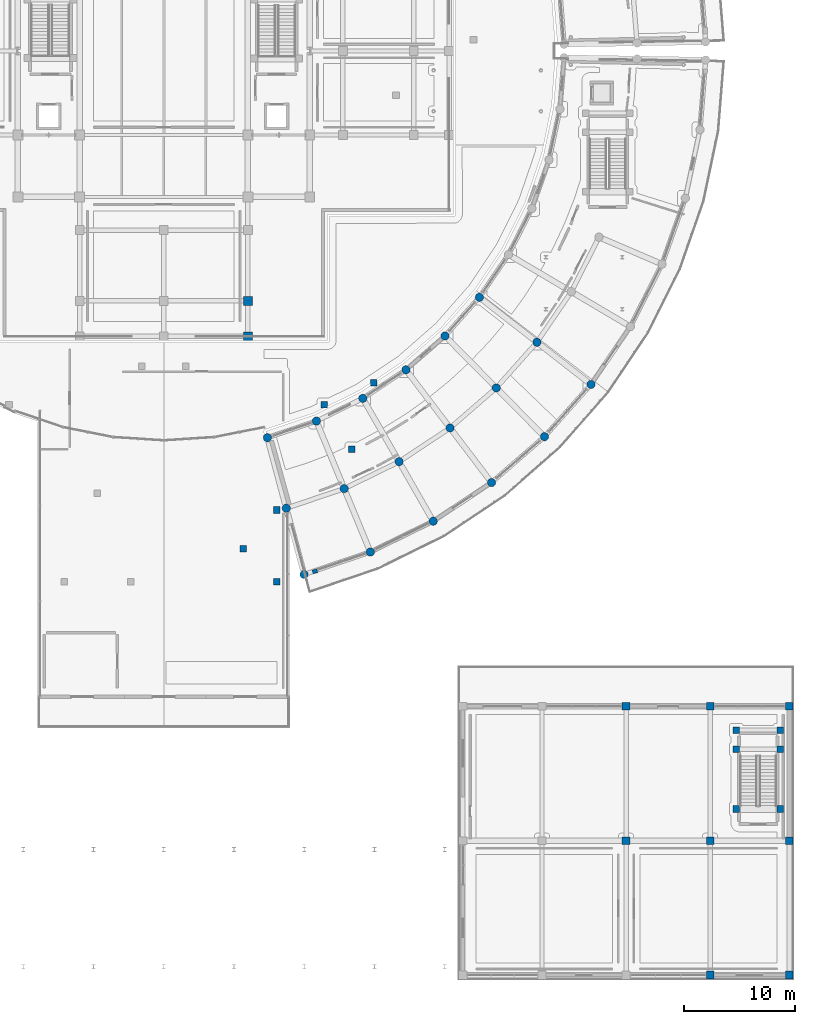
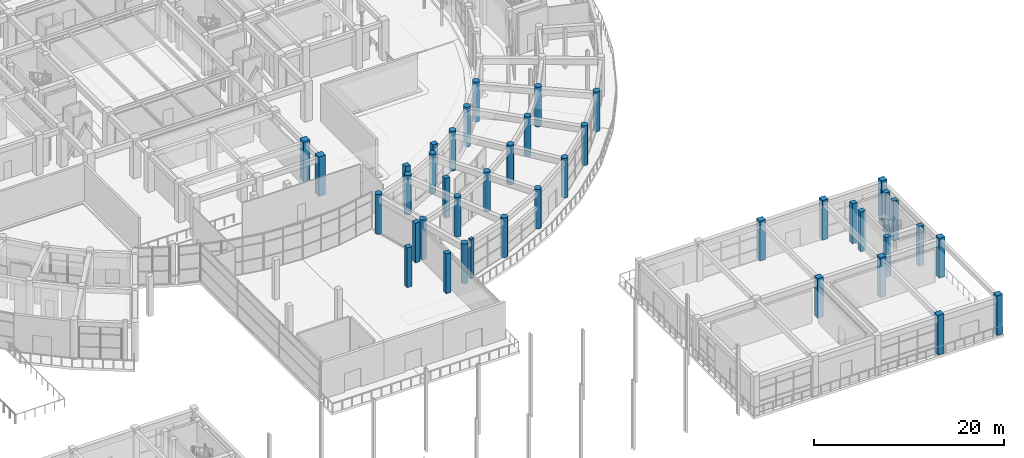
# One storey, part 5 of 99: 41 columns.
"""IFC4 building model written with IfcOpenShell, lengths in metres."""

from ifc_helpers import new_model, si_unit, direction, frame, origin, origin_2d, place, context, subcontext, project, spatial, rectangle, circle, extrude, material, material_profile, profile_set, type_object, element, save


model = new_model("IFC4")

# Units and contexts
model_context = context("Model", 3, precision=1e-05, world=origin(), true_north=direction((0.0, 1.0)))
body_context = subcontext(model_context, "Body", "Model", "MODEL_VIEW")
ifc_project = project(units=[si_unit("LENGTHUNIT", "METRE"), si_unit("AREAUNIT", "SQUARE_METRE"), si_unit("VOLUMEUNIT", "CUBIC_METRE"), si_unit("PLANEANGLEUNIT", "RADIAN"), si_unit("MASSUNIT", "GRAM", prefix="KILO")], contexts=[model_context])

# Site, building, storey
site_placement = place(None, origin())
site = spatial("IfcSite", under=ifc_project, at=site_placement, CompositionType="ELEMENT")
building_placement = place(site_placement, origin())
building = spatial("IfcBuilding", under=site, at=building_placement, Name="Saryqyr Civic Hall", CompositionType="ELEMENT")
storey_placement = place(building_placement, origin())
storey = spatial("IfcBuildingStorey", under=building, at=storey_placement, Name="L00", CompositionType="ELEMENT", Elevation=0.0)

# Columns
ifc_material_1 = material(Name="Concrete C40/50", Category="concrete")
ifc_material_profile_1 = material_profile(ifc_material_1, rectangle(XDim=0.60009765625, YDim=0.60009765625, at=origin_2d()), Name="RC 600x600")
ifc_profile_set_1 = profile_set([ifc_material_profile_1], Name="Concrete C40/50")
column_type_1 = type_object("IfcColumnType", Name="STR-COL-RC600-C40", PredefinedType="COLUMN", material=ifc_profile_set_1)
for number, where, z_axis, x_axis, name in (
    (1, (112.739990234375, 15.465087890625, 0.0), (0.0, 0.0, 1.0), (1.0, 0.0, 0.0), "Column ST-8-SCOL-TRMA-L00"),
    (2, (108.760009765625, 15.465087890625, 0.0), (0.0, 0.0, 1.0), (1.0, 0.0, 0.0), "Column ST-8-SCOL-TRMB-L00"),
    (3, (112.739990234375, 20.85009765625, 0.0), (0.0, 0.0, 1.0), (1.0, 0.0, 0.0), "Column ST-8-SCOL-LND1A-L00"),
    (4, (108.760009765625, 20.85009765625, 0.0), (0.0, 0.0, 1.0), (1.0, 0.0, 0.0), "Column ST-8-SCOL-LND1B-L00"),
    (5, (112.739990234375, 22.580078125, 0.0), (0.0, 0.0, 1.0), (1.0, 0.0, 0.0), "Column ST-8-SCOL-LND2A-L00"),
    (6, (108.760009765625, 22.580078125, 0.0), (0.0, 0.0, 1.0), (1.0, 0.0, 0.0), "Column ST-8-SCOL-LND2B-L00"),
    (7, (71.5, 52.0, 0.0), (0.0, 0.0, 1.0), (1.0, 0.0, 0.0), "Column V2-XCOL-13-L00"),
    (8, (76.0, 54.0, 0.0), (0.0, 0.0, 1.0), (1.0, 0.0, 0.0), "Column V2-XCOL-14-L00"),
    (9, (74.0, 48.0, 0.0), (0.0, 0.0, 1.0), (1.0, 0.0, 0.0), "Column V2-XCOL-15-L00"),
    (10, (67.199951171875, 36.0, 0.0), (0.0, 0.0, 1.0), (1.0, 0.0, 0.0), "Column V2-XCOL-25-L00"),
    (11, (67.199951171875, 42.5, 0.0), (0.0, 0.0, 1.0), (1.0, 0.0, 0.0), "Column V2-XCOL-26-L00"),
    (12, (64.199951171875, 39.0, 0.0), (0.0, 0.0, 1.0), (1.0, 0.0, 0.0), "Column V2-XCOL-27-L00"),
):
    element("IfcColumn", number, at=place(storey_placement, frame(where, z_axis=z_axis, x_axis=x_axis)), inside=storey, type_object=column_type_1, Name=name, PredefinedType="COLUMN", context=body_context, shape_type="SweptSolid", body=[
        extrude(rectangle(XDim=0.60009765625, YDim=0.60009765625, at=origin_2d()), origin(), (0.0, 0.0, 1.0), 5.10009765625),
    ])
ifc_material_profile_2 = material_profile(ifc_material_1, rectangle(XDim=0.699951171875, YDim=0.699951171875, at=origin_2d()), Name="RC 700x700")
ifc_profile_set_2 = profile_set([ifc_material_profile_2], Name="Concrete C40/50")
column_type_2 = type_object("IfcColumnType", Name="STR-COL-RC700-C40", PredefinedType="COLUMN", material=ifc_profile_set_2)
for number, where, z_axis, x_axis, name in (
    (13, (98.800048828125, 12.60009765625, 0.0), (0.0, 0.0, 1.0), (1.0, 0.0, 0.0), "Column V7E-COL-32-L00"),
    (14, (98.800048828125, 24.75, 0.0), (0.0, 0.0, 1.0), (1.0, 0.0, 0.0), "Column V7E-COL-33-L00"),
    (15, (106.39990234375, 0.449951171875, 0.0), (0.0, 0.0, 1.0), (1.0, 0.0, 0.0), "Column V7E-COL-41-L00"),
    (16, (106.39990234375, 12.60009765625, 0.0), (0.0, 0.0, 1.0), (1.0, 0.0, 0.0), "Column V7E-COL-42-L00"),
    (17, (106.39990234375, 24.75, 0.0), (0.0, 0.0, 1.0), (1.0, 0.0, 0.0), "Column V7E-COL-43-L00"),
    (18, (113.550048828125, 0.449951171875, 0.0), (0.0, 0.0, 1.0), (1.0, 0.0, 0.0), "Column V7E-COL-51-L00"),
    (19, (113.550048828125, 12.60009765625, 0.0), (0.0, 0.0, 1.0), (1.0, 0.0, 0.0), "Column V7E-COL-52-L00"),
    (20, (113.550048828125, 24.75, 0.0), (0.0, 0.0, 1.0), (1.0, 0.0, 0.0), "Column V7E-COL-53-L00"),
):
    element("IfcColumn", number, at=place(storey_placement, frame(where, z_axis=z_axis, x_axis=x_axis)), inside=storey, type_object=column_type_2, Name=name, PredefinedType="COLUMN", context=body_context, shape_type="SweptSolid", body=[
        extrude(rectangle(XDim=0.699951171875, YDim=0.699951171875, at=origin_2d()), origin(), (0.0, 0.0, 1.0), 5.10009765625),
    ])
ifc_material_profile_3 = material_profile(ifc_material_1, rectangle(XDim=0.800048828125, YDim=0.800048828125, at=origin_2d()), Name="RC 800x800")
ifc_profile_set_3 = profile_set([ifc_material_profile_3], Name="Concrete C40/50")
column_type_3 = type_object("IfcColumnType", Name="STR-COL-RC800-C40", PredefinedType="COLUMN", material=ifc_profile_set_3)
for number, where, z_axis, x_axis, name in (
    (21, (64.60009765625, 61.39990234375, 0.0), (0.0, 0.0, 1.0), (1.0, 0.0, 0.0), "Column V1-COL-S1P09-L00"),
    (22, (64.60009765625, 58.199951171875, 0.0), (0.0, 0.0, 1.0), (1.0, 0.0, 0.0), "Column V1-COL-S0P09-L00"),
):
    element("IfcColumn", number, at=place(storey_placement, frame(where, z_axis=z_axis, x_axis=x_axis)), inside=storey, type_object=column_type_3, Name=name, PredefinedType="COLUMN", context=body_context, shape_type="SweptSolid", body=[
        extrude(rectangle(XDim=0.800048828125, YDim=0.800048828125, at=origin_2d()), origin(), (0.0, 0.0, 1.0), 5.10009765625),
    ])
ifc_material_profile_4 = material_profile(ifc_material_1, circle(Radius=0.375, at=origin_2d()), Name="RC D750")
ifc_profile_set_4 = profile_set([ifc_material_profile_4], Name="Concrete C40/50")
column_type_4 = type_object("IfcColumnType", Name="STR-COL-RCD750-EXT", PredefinedType="COLUMN", material=ifc_profile_set_4)
for number, where, z_axis, x_axis, name in (
    (23, (66.369140625, 49.033447265625, 0.0), (0.0, 0.0, 1.0), (0.258819045103, -0.965925826289, 0.0), "Column V5-COL-IN00-L00"),
    (24, (69.68212890625, 36.669677734375, 0.0), (0.0, 0.0, 1.0), (0.258819045103, -0.965925826289, 0.0), "Column V5-COL-OUT00-L00"),
    (25, (70.797607421875, 50.53271484375, 0.0), (0.0, 0.0, 1.0), (0.38107037635, -0.924546033612, 0.0), "Column V5-COL-IN01-L00"),
    (26, (75.676513671875, 38.698974609375, 0.0), (0.0, 0.0, 1.0), (0.38107037635, -0.924546033612, 0.0), "Column V5-COL-OUT01-L00"),
    (27, (74.995849609375, 52.590087890625, 0.0), (0.0, 0.0, 1.0), (0.4971254071, -0.867678701833, 0.0), "Column V5-COL-IN02-L00"),
    (28, (81.359130859375, 41.483642578125, 0.0), (0.0, 0.0, 1.0), (0.4971254071, -0.867678701833, 0.0), "Column V5-COL-OUT02-L00"),
    (29, (78.89404296875, 55.17138671875, 0.0), (0.0, 0.0, 1.0), (0.604877119416, -0.796318824597, 0.0), "Column V5-COL-IN03-L00"),
    (30, (86.635498046875, 44.977783203125, 0.0), (0.0, 0.0, 1.0), (0.604877119416, -0.796318824597, 0.0), "Column V5-COL-OUT03-L00"),
    (31, (82.427001953125, 58.2333984375, 0.0), (0.0, 0.0, 1.0), (0.70240155419, -0.711780904964, 0.0), "Column V5-COL-IN04-L00"),
    (32, (91.417724609375, 49.122802734375, 0.0), (0.0, 0.0, 1.0), (0.70240155419, -0.711780904964, 0.0), "Column V5-COL-OUT04-L00"),
    (33, (85.53564453125, 61.7255859375, 0.0), (0.0, 0.0, 1.0), (0.78822561199, -0.615386370179, 0.0), "Column V5-COL-IN05-L00"),
    (34, (95.625732421875, 53.849365234375, 0.0), (0.0, 0.0, 1.0), (0.78822561199, -0.615386370179, 0.0), "Column V5-COL-OUT05-L00"),
):
    element("IfcColumn", number, at=place(storey_placement, frame(where, z_axis=z_axis, x_axis=x_axis)), inside=storey, type_object=column_type_4, Name=name, PredefinedType="COLUMN", context=body_context, shape_type="SweptSolid", body=[
        extrude(circle(Radius=0.375, at=origin_2d()), origin(), (0.0, 0.0, 1.0), 5.10009765625),
    ])
ifc_material_profile_5 = material_profile(ifc_material_1, circle(Radius=0.375, at=origin_2d()), Name="RC D750")
ifc_profile_set_5 = profile_set([ifc_material_profile_5], Name="Concrete C40/50")
column_type_5 = type_object("IfcColumnType", Name="STR-COL-RCD750-INT", PredefinedType="COLUMN", material=ifc_profile_set_5)
for number, where, z_axis, x_axis, name in (
    (35, (68.077392578125, 42.658447265625, 0.0), (0.0, 0.0, 1.0), (0.258819045103, -0.965925826289, 0.0), "Column V5-COL-MID00-L00"),
    (36, (73.313232421875, 44.430908203125, 0.0), (0.0, 0.0, 1.0), (0.38107037635, -0.924546033612, 0.0), "Column V5-COL-MID01-L00"),
    (37, (78.277099609375, 46.86328125, 0.0), (0.0, 0.0, 1.0), (0.4971254071, -0.867678701833, 0.0), "Column V5-COL-MID02-L00"),
    (38, (82.8857421875, 49.915283203125, 0.0), (0.0, 0.0, 1.0), (0.604877119416, -0.796318824597, 0.0), "Column V5-COL-MID03-L00"),
    (39, (87.062744140625, 53.535888671875, 0.0), (0.0, 0.0, 1.0), (0.70240155419, -0.711780904964, 0.0), "Column V5-COL-MID04-L00"),
    (40, (90.73828125, 57.664306640625, 0.0), (0.0, 0.0, 1.0), (0.78822561199, -0.615386370179, 0.0), "Column V5-COL-MID05-L00"),
):
    element("IfcColumn", number, at=place(storey_placement, frame(where, z_axis=z_axis, x_axis=x_axis)), inside=storey, type_object=column_type_5, Name=name, PredefinedType="COLUMN", context=body_context, shape_type="SweptSolid", body=[
        extrude(circle(Radius=0.375, at=origin_2d()), origin(), (0.0, 0.0, 1.0), 5.10009765625),
    ])
ifc_material_2 = material(Name="Concrete C35/45", Category="concrete")
ifc_material_profile_6 = material_profile(ifc_material_2, rectangle(XDim=0.35009765625, YDim=0.449951171875, at=origin_2d()), Name="RC 350x450")
ifc_profile_set_6 = profile_set([ifc_material_profile_6], Name="Concrete C35/45")
column_type_6 = type_object("IfcColumnType", Name="STR-PIL-RC350x450-EXT", PredefinedType="PILASTER", material=ifc_profile_set_6)
column_placement = place(storey_placement, frame((70.670654296875, 36.945556640625, 0.0), z_axis=(0.0, 0.0, 1.0), x_axis=(0.258819045103, -0.965925826289, 0.0)))
element("IfcColumn", 41, at=column_placement, inside=storey, type_object=column_type_6, Name="Column V5-PIL-00-L00", PredefinedType="PILASTER", context=body_context, shape_type="SweptSolid", body=[
    extrude(rectangle(XDim=0.35009765625, YDim=0.449951171875, at=origin_2d()), origin(), (0.0, 0.0, 1.0), 5.10009765625),
])

save(model, "model.ifc")
